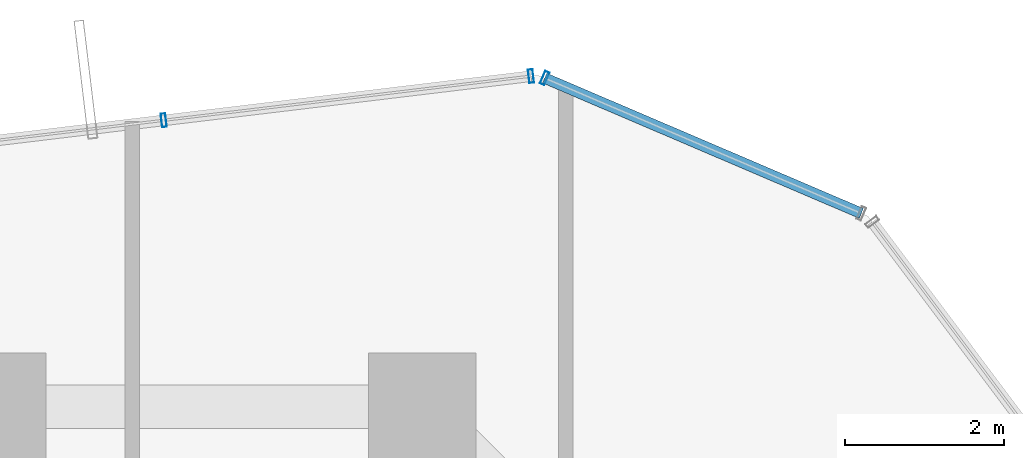
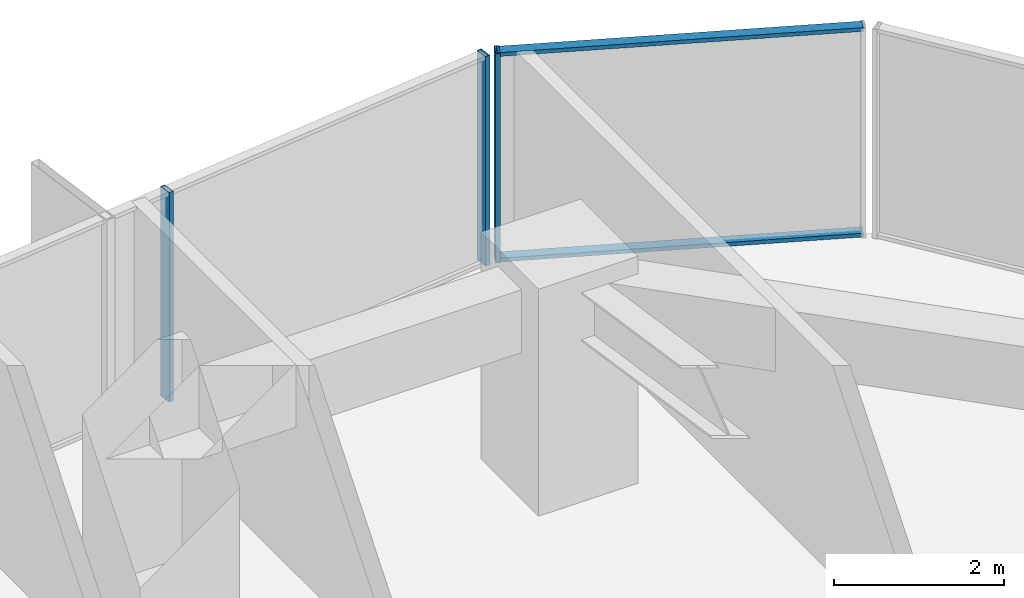
# One storey, part 27 of 37: 5 members, 2 elements without a shape of their own.
"""IFC4 building model written with IfcOpenShell, lengths in metres."""

from ifc_helpers import new_model, si_unit, direction, frame, origin, origin_2d, place, context, subcontext, project, spatial, hollow_rectangle, extrude, source, transform, mapped, material, layer, layer_set, material_profile, profile_set, type_object, element, aggregate, save


model = new_model("IFC4")

# Units and contexts
model_context = context("Model", 3, precision=1e-05, world=origin(), true_north=direction((0.0, 1.0)))
body_context = subcontext(model_context, "Body", "Model", "MODEL_VIEW")
ifc_project = project(units=[si_unit("LENGTHUNIT", "METRE"), si_unit("AREAUNIT", "SQUARE_METRE"), si_unit("VOLUMEUNIT", "CUBIC_METRE"), si_unit("PLANEANGLEUNIT", "RADIAN"), si_unit("MASSUNIT", "GRAM", prefix="KILO")], contexts=[model_context])

# Site, building, storey
site_placement = place(None, origin())
site = spatial("IfcSite", under=ifc_project, at=site_placement, CompositionType="ELEMENT")
building_placement = place(site_placement, origin())
building = spatial("IfcBuilding", under=site, at=building_placement, Name="Veraguas Prism Commons", CompositionType="ELEMENT")
storey_placement = place(building_placement, frame((0.0, 0.0, 46.800048828125)))
storey = spatial("IfcBuildingStorey", under=building, at=storey_placement, Name="L12", CompositionType="ELEMENT", Elevation=46.800048828125)

# Curtain wall, members
ifc_material = material(Name="Anodised aluminium EN AW-6063 T6", Category="aluminium")
ifc_layer = layer(ifc_material, 0.169921875, Name="Unitised Flush Curtain Wall Zone 1", Category="aluminium")
ifc_layer_set = layer_set([ifc_layer], Name="Anodised aluminium EN AW-6063 T6")
curtain_wall_type = type_object("IfcCurtainWallType", Name="Unitised Flush Curtain Wall Zone 1", PredefinedType="NOTDEFINED", material=ifc_layer_set)
curtain_wall_1_placement = place(storey_placement, origin())
curtain_wall_1 = element("IfcCurtainWall", 1, at=curtain_wall_1_placement, inside=storey, type_object=curtain_wall_type, Name="Chamfer Curtain Wall L12-C2", PredefinedType="NOTDEFINED")
ifc_material_profile_1 = material_profile(ifc_material, hollow_rectangle(XDim=0.054931640625, YDim=0.135009765625, WallThickness=0.0029296875, at=origin_2d()), Name="AL55X135X3")
ifc_profile_set_1 = profile_set([ifc_material_profile_1], Name="Anodised aluminium EN AW-6063 T6")
member_type_1 = type_object("IfcMemberType", Name="Curtain Wall Transom Standard AL 55x135x3", PredefinedType="USERDEFINED", material=ifc_profile_set_1)
shared_shape_1 = source(origin(), body_context, "Body", "SweptSolid", [
    extrude(hollow_rectangle(XDim=0.054931640625, YDim=0.135009765625, WallThickness=0.0029296875, at=origin_2d()), origin(), (0.0, 0.0, 1.0), 4.31982421875),
])
member_1_placement = place(storey_placement, frame((34.9072265625, 44.02587890625, 0.02734375), z_axis=(-0.919559614467, 0.392950525437, 0.0), x_axis=(0.0, 0.0, 1.0)))
member_1 = element("IfcMember", 2, at=member_1_placement, type_object=member_type_1, Name="CW-Z1 Transom 1", ObjectType="TRANSOM", PredefinedType="USERDEFINED", context=body_context, shape_type="MappedRepresentation", body=[
    mapped(shared_shape_1, transform((0.0, 0.0, 0.0), scale=1.0)),
])
member_2_placement = place(storey_placement, frame((34.9072265625, 44.02587890625, 2.972412109375), z_axis=(-0.919559614467, 0.392950525437, 0.0), x_axis=(0.0, 0.0, 1.0)))
member_2 = element("IfcMember", 3, at=member_2_placement, type_object=member_type_1, Name="CW-Z1 Transom 2", ObjectType="TRANSOM", PredefinedType="USERDEFINED", context=body_context, shape_type="MappedRepresentation", body=[
    mapped(shared_shape_1, transform((0.0, 0.0, 0.0), scale=1.0)),
])

curtain_wall_2_placement = place(storey_placement, origin())
curtain_wall_2 = element("IfcCurtainWall", 4, at=curtain_wall_2_placement, inside=storey, type_object=curtain_wall_type, Name="Tower Facade Curtain Wall L12-F2", PredefinedType="NOTDEFINED")
ifc_material_profile_2 = material_profile(ifc_material, hollow_rectangle(XDim=0.06005859375, YDim=0.169921875, WallThickness=0.00390625, at=origin_2d()), Name="AL60X170X4")
ifc_profile_set_2 = profile_set([ifc_material_profile_2], Name="Anodised aluminium EN AW-6063 T6")
member_type_2 = type_object("IfcMemberType", Name="Curtain Wall Mullion Lower AL 60x170x4", PredefinedType="MULLION", material=ifc_profile_set_2)
shared_shape_2 = source(origin(), body_context, "Body", "SweptSolid", [
    extrude(hollow_rectangle(XDim=0.06005859375, YDim=0.169921875, WallThickness=0.00390625, at=origin_2d()), origin(), (0.0, 0.0, 1.0), 3.0),
])
member_3_placement = place(storey_placement, frame((30.7626953125, 45.748046875, 0.0), z_axis=(0.0, 0.0, 1.0), x_axis=(-0.992841388261, -0.119440268573, 0.0)))
member_3 = element("IfcMember", 5, at=member_3_placement, type_object=member_type_2, Name="CW-Z1 Mullion 1", PredefinedType="MULLION", context=body_context, shape_type="MappedRepresentation", body=[
    mapped(shared_shape_2, transform((0.0, 0.0, 0.0), scale=1.0)),
])
member_4_placement = place(storey_placement, frame((26.15478515625, 45.193603515625, 0.0), z_axis=(0.0, 0.0, 1.0), x_axis=(-0.992841388261, -0.119440268573, 0.0)))
member_4 = element("IfcMember", 6, at=member_4_placement, type_object=member_type_2, Name="CW-Z1 Mullion 2", PredefinedType="MULLION", context=body_context, shape_type="MappedRepresentation", body=[
    mapped(shared_shape_2, transform((0.0, 0.0, 0.0), scale=1.0)),
])
aggregate(curtain_wall_2, [member_3, member_4])

# Member
member_5_placement = place(storey_placement, frame((30.934814453125, 45.723388671875, 0.0), z_axis=(0.0, 0.0, 1.0), x_axis=(-0.919550799566, 0.392971152908, 0.0)))
member_5 = element("IfcMember", 7, at=member_5_placement, type_object=member_type_2, Name="CW-Z1 Mullion 2", PredefinedType="MULLION", context=body_context, shape_type="MappedRepresentation", body=[
    mapped(shared_shape_2, transform((0.0, 0.0, 0.0), scale=1.0)),
])

aggregate(curtain_wall_1, [member_5, member_1, member_2])

save(model, "model.ifc")
